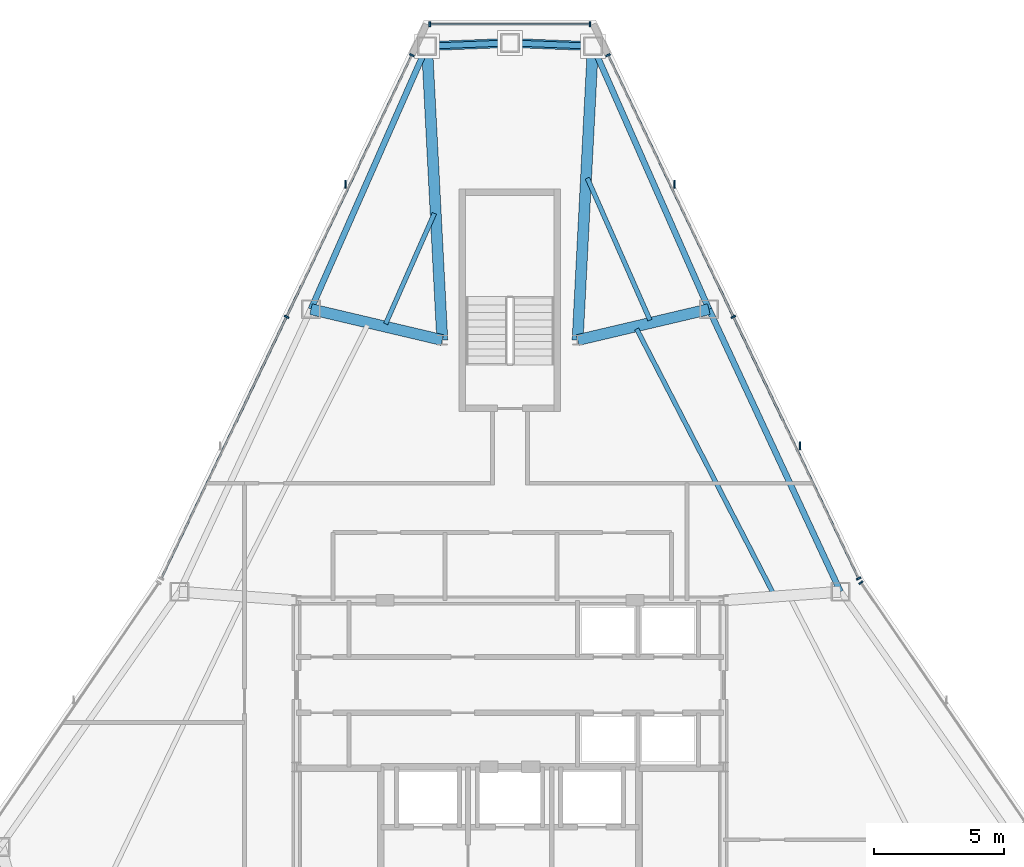
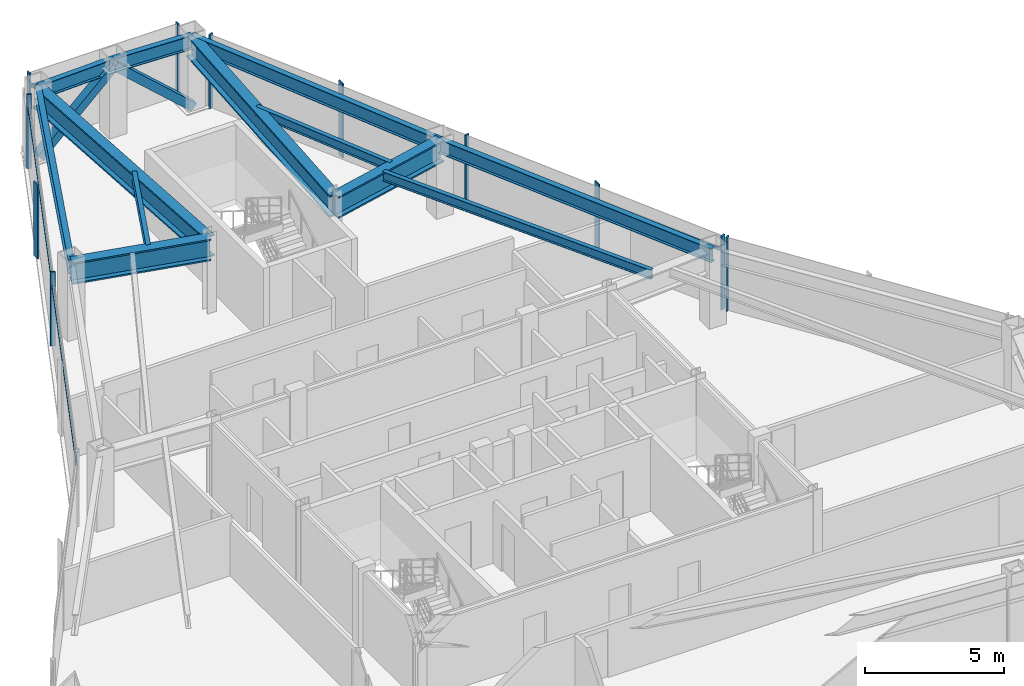
# One storey, part 7 of 12: 16 members, 12 beams, 4 elements without a shape of their own.
"""IFC4 building model written with IfcOpenShell, lengths in metres."""

from ifc_helpers import new_model, si_unit, direction, frame, origin, origin_2d, place, context, subcontext, project, spatial, rectangle, hollow_rectangle, i_section, extrude, source, transform, mapped, material, layer, layer_set, material_profile, profile_set, type_object, type_shapes, element, aggregate, save


model = new_model("IFC4")

# Units and contexts
model_context = context("Model", 3, precision=1e-05, world=origin(), true_north=direction((0.0, 1.0)))
body_context = subcontext(model_context, "Body", "Model", "MODEL_VIEW")
ifc_project = project(units=[si_unit("LENGTHUNIT", "METRE"), si_unit("AREAUNIT", "SQUARE_METRE"), si_unit("VOLUMEUNIT", "CUBIC_METRE"), si_unit("PLANEANGLEUNIT", "RADIAN"), si_unit("MASSUNIT", "GRAM", prefix="KILO")], contexts=[model_context])

# Site, building, storey
site_placement = place(None, origin())
site = spatial("IfcSite", under=ifc_project, at=site_placement, CompositionType="ELEMENT")
building_placement = place(site_placement, origin())
building = spatial("IfcBuilding", under=site, at=building_placement, Name="Varakhsha Concourse Tower", CompositionType="ELEMENT")
storey_placement = place(building_placement, frame((0.0, 0.0, 218.89990234375)))
storey = spatial("IfcBuildingStorey", under=building, at=storey_placement, Name="L62", CompositionType="ELEMENT", Elevation=218.89990234375)

# Beams
ifc_material_1 = material(Name="Structural Steel ASTM A992 Grade 50", Category="steel")
ifc_material_profile_1 = material_profile(ifc_material_1, i_section(OverallWidth=0.177978515625, OverallDepth=0.406982421875, WebThickness=0.008056640625, FlangeThickness=0.012939453125, at=origin_2d()), Name="W16X40")
ifc_profile_set_1 = profile_set([ifc_material_profile_1], Name="Structural Steel ASTM A992 Grade 50")
beam_type_1 = type_object("IfcBeamType", Name="BM-JST-W16X40", PredefinedType="JOIST", material=ifc_profile_set_1)
beam_1_placement = place(storey_placement, frame((37.097412109375, 46.06787109375, 3.046630859375), z_axis=(-0.403583198259, -0.91494295018, 0.0), x_axis=(0.91494295018, -0.403583198259, 0.0)))
element("IfcBeam", 1, at=beam_1_placement, inside=storey, type_object=beam_type_1, Name="BM-TJST-L62-03", PredefinedType="JOIST", context=body_context, shape_type="SweptSolid", body=[
    extrude(i_section(OverallWidth=0.177978515625, OverallDepth=0.406982421875, WebThickness=0.008056640625, FlangeThickness=0.012939453125, at=origin_2d()), origin(), (0.0, 0.0, 1.0), 4.63916015625),
])
beam_2_placement = place(storey_placement, frame((50.12890625, 31.443603515625, 3.046630859375), z_axis=(-0.458935408201, 0.888469634315, 0.0), x_axis=(-0.888469634315, -0.458935408201, 0.0)))
element("IfcBeam", 2, at=beam_2_placement, inside=storey, type_object=beam_type_1, Name="BM-TJST-L62-17", PredefinedType="JOIST", context=body_context, shape_type="SweptSolid", body=[
    extrude(i_section(OverallWidth=0.177978515625, OverallDepth=0.406982421875, WebThickness=0.008056640625, FlangeThickness=0.012939453125, at=origin_2d()), origin(), (0.0, 0.0, 1.0), 11.459228515625),
])
beam_3_placement = place(storey_placement, frame((45.380126953125, 41.9658203125, 3.046630859375), z_axis=(-0.403599895575, 0.914935584777, 0.0), x_axis=(-0.914935584777, -0.403599895575, 0.0)))
element("IfcBeam", 3, at=beam_3_placement, inside=storey, type_object=beam_type_1, Name="BM-TJST-L62-18", PredefinedType="JOIST", context=body_context, shape_type="SweptSolid", body=[
    extrude(i_section(OverallWidth=0.177978515625, OverallDepth=0.406982421875, WebThickness=0.008056640625, FlangeThickness=0.012939453125, at=origin_2d()), origin(), (0.0, 0.0, 1.0), 5.96435546875),
])
ifc_material_profile_2 = material_profile(ifc_material_1, i_section(OverallWidth=0.423095703125, OverallDepth=0.947998046875, WebThickness=0.0380859375, FlangeThickness=0.06396484375, at=origin_2d()), Name="W36X302")
ifc_profile_set_2 = profile_set([ifc_material_profile_2], Name="Structural Steel ASTM A992 Grade 50")
beam_type_2 = type_object("IfcBeamType", Name="BM-OUTR-W36X302", PredefinedType="USERDEFINED", material=ifc_profile_set_2)
for number, where, z_axis, x_axis, name in (
    (4, (42.60009765625, 41.199951171875, 2.776123046875), (0.051884532056, 0.998653090584, 0.0), (-0.998653090584, 0.051884532056, 0.0), "L62 Radial Floor Girder 01"),
    (5, (37.39990234375, 41.199951171875, 2.776123046875), (-0.051884532056, 0.998653090584, 0.0), (-0.998653090584, -0.051884532056, 0.0), "L62 Radial Floor Girder 03"),
):
    element("IfcBeam", number, at=place(storey_placement, frame(where, z_axis=z_axis, x_axis=x_axis)), inside=storey, type_object=beam_type_2, Name=name, ObjectType="GIRDER", PredefinedType="USERDEFINED", context=body_context, shape_type="SweptSolid", body=[
        extrude(i_section(OverallWidth=0.423095703125, OverallDepth=0.947998046875, WebThickness=0.0380859375, FlangeThickness=0.06396484375, at=origin_2d()), origin(), (0.0, 0.0, 1.0), 11.30712890625),
    ])
for number, where, z_axis, x_axis, name in (
    (6, (37.39990234375, 41.199951171875, 2.776123046875), (-0.973374515128, 0.229220534203, 0.0), (-0.229220534203, -0.973374515128, 0.0), "L62 Radial Floor Girder 04"),
    (7, (42.60009765625, 41.199951171875, 2.776123046875), (0.973374515128, 0.229220534203, 0.0), (-0.229220534203, 0.973374515128, 0.0), "L62 Radial Floor Girder 18"),
):
    element("IfcBeam", number, at=place(storey_placement, frame(where, z_axis=z_axis, x_axis=x_axis)), inside=storey, type_object=beam_type_2, Name=name, ObjectType="GIRDER", PredefinedType="USERDEFINED", context=body_context, shape_type="SweptSolid", body=[
        extrude(i_section(OverallWidth=0.423095703125, OverallDepth=0.947998046875, WebThickness=0.0380859375, FlangeThickness=0.06396484375, at=origin_2d()), origin(), (0.0, 0.0, 1.0), 5.181640625),
    ])
ifc_material_profile_3 = material_profile(ifc_material_1, i_section(OverallWidth=0.22900390625, OverallDepth=0.612060546875, WebThickness=0.011962890625, FlangeThickness=0.02001953125, at=origin_2d()), Name="W24X84")
ifc_profile_set_3 = profile_set([ifc_material_profile_3], Name="Structural Steel ASTM A992 Grade 50")
beam_type_3 = type_object("IfcBeamType", Name="BM-SPAN-W24X84", PredefinedType="SPANDREL", material=ifc_profile_set_3)
for number, where, z_axis, x_axis, name in (
    (8, (43.186767578125, 52.491943359375, 2.944091796875), (-0.999225590173, 0.039347426136, 0.0), (-0.039347426136, -0.999225590173, 0.0), "BM-SPAN-L62-01"),
    (9, (40.0, 52.617431640625, 2.944091796875), (-0.999225590173, -0.039347426136, 0.0), (0.039347426136, -0.999225590173, 0.0), "BM-SPAN-L62-02"),
):
    element("IfcBeam", number, at=place(storey_placement, frame(where, z_axis=z_axis, x_axis=x_axis)), inside=storey, type_object=beam_type_3, Name=name, PredefinedType="SPANDREL", context=body_context, shape_type="SweptSolid", body=[
        extrude(i_section(OverallWidth=0.22900390625, OverallDepth=0.612060546875, WebThickness=0.011962890625, FlangeThickness=0.02001953125, at=origin_2d()), origin(), (0.0, 0.0, 1.0), 3.189208984375),
    ])
beam_4_placement = place(storey_placement, frame((36.813232421875, 52.491943359375, 2.944091796875), z_axis=(-0.403585234517, -0.914942051979, 0.0), x_axis=(0.914942051979, -0.403585234517, 0.0)))
element("IfcBeam", 10, at=beam_4_placement, inside=storey, type_object=beam_type_3, Name="BM-SPAN-L62-03", PredefinedType="SPANDREL", context=body_context, shape_type="SweptSolid", body=[
    extrude(i_section(OverallWidth=0.22900390625, OverallDepth=0.612060546875, WebThickness=0.011962890625, FlangeThickness=0.02001953125, at=origin_2d()), origin(), (0.0, 0.0, 1.0), 11.043701171875),
])
beam_5_placement = place(storey_placement, frame((52.698974609375, 31.53173828125, 2.944091796875), z_axis=(-0.422135313271, 0.90653283299, 0.0), x_axis=(-0.90653283299, -0.422135313271, 0.0)))
element("IfcBeam", 11, at=beam_5_placement, inside=storey, type_object=beam_type_3, Name="BM-SPAN-L62-17", PredefinedType="SPANDREL", context=body_context, shape_type="SweptSolid", body=[
    extrude(i_section(OverallWidth=0.22900390625, OverallDepth=0.612060546875, WebThickness=0.011962890625, FlangeThickness=0.02001953125, at=origin_2d()), origin(), (0.0, 0.0, 1.0), 11.975341796875),
])
beam_6_placement = place(storey_placement, frame((47.643798828125, 42.3876953125, 2.944091796875), z_axis=(-0.403585234517, 0.914942051979, 0.0), x_axis=(-0.914942051979, -0.403585234517, 0.0)))
element("IfcBeam", 12, at=beam_6_placement, inside=storey, type_object=beam_type_3, Name="BM-SPAN-L62-18", PredefinedType="SPANDREL", context=body_context, shape_type="SweptSolid", body=[
    extrude(i_section(OverallWidth=0.22900390625, OverallDepth=0.612060546875, WebThickness=0.011962890625, FlangeThickness=0.02001953125, at=origin_2d()), origin(), (0.0, 0.0, 1.0), 11.043701171875),
])

# Members
ifc_material_2 = material(Name="Structural Steel ASTM A500 Grade C", Category="steel")
ifc_material_profile_4 = material_profile(ifc_material_2, hollow_rectangle(XDim=0.35009765625, YDim=0.35009765625, WallThickness=0.01611328125, at=origin_2d()), Name="HSS 350x350x16")
ifc_profile_set_4 = profile_set([ifc_material_profile_4], Name="Structural Steel ASTM A500 Grade C")
member_type_1 = type_object("IfcMemberType", Name="MB-TUBE-HSS350", PredefinedType="BRACE", material=ifc_profile_set_4)
shared_shape_1 = source(origin(), body_context, "Body", "SweptSolid", [
    extrude(hollow_rectangle(XDim=0.35009765625, YDim=0.35009765625, WallThickness=0.01611328125, at=origin_2d()), origin(), (0.0, 0.0, 1.0), 4.263916015625),
])
type_shapes(member_type_1, [shared_shape_1])
for number, where, z_axis, x_axis, name in (
    (13, (43.186767578125, 52.491943359375, 0.1201171875), (-0.747388752207, 0.02943061508, 0.663734805453), (-0.039347426136, -0.999225590173, 0.0), "L62 Wind-Corner Tube Brace B01"),
    (14, (36.813232421875, 52.491943359375, 0.1201171875), (0.747388752207, 0.02943061508, 0.663734805453), (-0.039347426136, 0.999225590173, 0.0), "L62 Wind-Corner Tube Brace B02"),
):
    element("IfcMember", number, at=place(storey_placement, frame(where, z_axis=z_axis, x_axis=x_axis)), inside=storey, type_object=member_type_1, Name=name, PredefinedType="BRACE", context=body_context, shape_type="MappedRepresentation", body=[
        mapped(shared_shape_1, transform((0.0, 0.0, 0.0), scale=1.0)),
    ])

# Curtain wall, members
ifc_material_3 = material(Name="Anodised Bronze Architectural Aluminium AA 6063-T6", Category="aluminium")
ifc_layer = layer(ifc_material_3, 0.199951171875, Name="CW-SYS-05")
ifc_layer_set = layer_set([ifc_layer], Name="Anodised Bronze Architectural Aluminium AA 6063-T6")
curtain_wall_type = type_object("IfcCurtainWallType", Name="CW-SYS-05", PredefinedType="NOTDEFINED", material=ifc_layer_set)
curtain_wall_1_placement = place(storey_placement, origin())
curtain_wall_1 = element("IfcCurtainWall", 15, at=curtain_wall_1_placement, inside=storey, type_object=curtain_wall_type, Name="L62 Chamfer Curtain Wall F1", PredefinedType="NOTDEFINED")
ifc_material_profile_5 = material_profile(ifc_material_3, rectangle(XDim=0.06494140625, YDim=0.179931640625, at=origin_2d()), Name="CWM-180X65")
ifc_profile_set_5 = profile_set([ifc_material_profile_5], Name="Anodised Bronze Architectural Aluminium AA 6063-T6")
member_type_2 = type_object("IfcMemberType", Name="CWM-180X65", PredefinedType="MULLION", material=ifc_profile_set_5)
shared_shape_2 = source(origin(), body_context, "Body", "SweptSolid", [
    extrude(rectangle(XDim=0.06494140625, YDim=0.179931640625, at=origin_2d()), origin(), (0.0, 0.0, 1.0), 3.25),
])
type_shapes(member_type_2, [shared_shape_2])
member_1_placement = place(storey_placement, frame((36.919921875, 53.33740234375, 0.0), z_axis=(0.0, 0.0, 1.0), x_axis=(1.0, 0.0, 0.0)))
member_1 = element("IfcMember", 16, at=member_1_placement, type_object=member_type_2, Name="CW-L62-F1 Mullion 00", PredefinedType="MULLION", context=body_context, shape_type="MappedRepresentation", body=[
    mapped(shared_shape_2, transform((0.0, 0.0, 0.0), scale=1.0)),
])
member_2_placement = place(storey_placement, frame((43.080078125, 53.33740234375, 0.0), z_axis=(0.0, 0.0, 1.0), x_axis=(1.0, 0.0, 0.0)))
member_2 = element("IfcMember", 17, at=member_2_placement, type_object=member_type_2, Name="CW-L62-F1 Mullion 01", PredefinedType="MULLION", context=body_context, shape_type="MappedRepresentation", body=[
    mapped(shared_shape_2, transform((0.0, 0.0, 0.0), scale=1.0)),
])

curtain_wall_2_placement = place(storey_placement, origin())
curtain_wall_2 = element("IfcCurtainWall", 18, at=curtain_wall_2_placement, inside=storey, type_object=curtain_wall_type, Name="L62 Crystal Curtain Wall F2", PredefinedType="NOTDEFINED")
member_3_placement = place(storey_placement, frame((31.41748046875, 42.09423828125, 0.0), z_axis=(0.0, 0.0, 1.0), x_axis=(0.431862228288, 0.901939585437, 0.0)))
member_3 = element("IfcMember", 19, at=member_3_placement, type_object=member_type_2, Name="CW-L62-F2 Mullion 01", PredefinedType="MULLION", context=body_context, shape_type="MappedRepresentation", body=[
    mapped(shared_shape_2, transform((0.0, 0.0, 0.0), scale=1.0)),
])
member_4_placement = place(storey_placement, frame((36.231201171875, 52.147705078125, 0.0), z_axis=(0.0, 0.0, 1.0), x_axis=(0.431862228288, 0.901939585437, 0.0)))
member_4 = element("IfcMember", 20, at=member_4_placement, type_object=member_type_2, Name="CW-L62-F2 Mullion 02", PredefinedType="MULLION", context=body_context, shape_type="MappedRepresentation", body=[
    mapped(shared_shape_2, transform((0.0, 0.0, 0.0), scale=1.0)),
])

# Curtain wall, member
curtain_wall_3_placement = place(storey_placement, origin())
curtain_wall_3 = element("IfcCurtainWall", 21, at=curtain_wall_3_placement, inside=storey, type_object=curtain_wall_type, Name="L62 Crystal Curtain Wall F8", PredefinedType="NOTDEFINED")
member_5_placement = place(storey_placement, frame((53.488525390625, 31.88134765625, 0.0), z_axis=(0.0, 0.0, 1.0), x_axis=(0.565172919372, -0.82497246694, 0.0)))
member_5 = element("IfcMember", 22, at=member_5_placement, type_object=member_type_2, Name="CW-L62-F8 Mullion 00", PredefinedType="MULLION", context=body_context, shape_type="MappedRepresentation", body=[
    mapped(shared_shape_2, transform((0.0, 0.0, 0.0), scale=1.0)),
])
aggregate(curtain_wall_3, [member_5])

# Curtain wall, members
curtain_wall_4_placement = place(storey_placement, origin())
curtain_wall_4 = element("IfcCurtainWall", 23, at=curtain_wall_4_placement, inside=storey, type_object=curtain_wall_type, Name="L62 Crystal Curtain Wall F9", PredefinedType="NOTDEFINED")
member_6_placement = place(storey_placement, frame((43.768798828125, 52.147705078125, 0.0), z_axis=(0.0, 0.0, 1.0), x_axis=(0.431862228288, -0.901939585437, 0.0)))
member_6 = element("IfcMember", 24, at=member_6_placement, type_object=member_type_2, Name="CW-L62-F9 Mullion 00", PredefinedType="MULLION", context=body_context, shape_type="MappedRepresentation", body=[
    mapped(shared_shape_2, transform((0.0, 0.0, 0.0), scale=1.0)),
])
member_7_placement = place(storey_placement, frame((48.582763671875, 42.09423828125, 0.0), z_axis=(0.0, 0.0, 1.0), x_axis=(0.431862228288, -0.901939585437, 0.0)))
member_7 = element("IfcMember", 25, at=member_7_placement, type_object=member_type_2, Name="CW-L62-F9 Mullion 01", PredefinedType="MULLION", context=body_context, shape_type="MappedRepresentation", body=[
    mapped(shared_shape_2, transform((0.0, 0.0, 0.0), scale=1.0)),
])
member_8_placement = place(storey_placement, frame((53.396484375, 32.040771484375, 0.0), z_axis=(0.0, 0.0, 1.0), x_axis=(0.431862228288, -0.901939585437, 0.0)))
member_8 = element("IfcMember", 26, at=member_8_placement, type_object=member_type_2, Name="CW-L62-F9 Mullion 02", PredefinedType="MULLION", context=body_context, shape_type="MappedRepresentation", body=[
    mapped(shared_shape_2, transform((0.0, 0.0, 0.0), scale=1.0)),
])

# Member
ifc_material_profile_6 = material_profile(ifc_material_3, rectangle(XDim=0.054931640625, YDim=0.300048828125, at=origin_2d()), Name="FIN-BRZ-300")
ifc_profile_set_6 = profile_set([ifc_material_profile_6], Name="Anodised Bronze Architectural Aluminium AA 6063-T6")
member_type_3 = type_object("IfcMemberType", Name="FIN-BRZ-300", PredefinedType="USERDEFINED", material=ifc_profile_set_6)
shared_shape_3 = source(origin(), body_context, "Body", "SweptSolid", [
    extrude(rectangle(XDim=0.054931640625, YDim=0.300048828125, at=origin_2d()), origin(), (0.0, 0.0, 1.0), 3.25),
])
type_shapes(member_type_3, [shared_shape_3])
member_9_placement = place(storey_placement, frame((33.67529296875, 47.192138671875, 0.0), z_axis=(0.0, 0.0, 1.0), x_axis=(1.0, 0.0, 0.0)))
member_9 = element("IfcMember", 27, at=member_9_placement, type_object=member_type_3, Name="L62 Anodised Bronze Solar Fin F2-2", ObjectType="SOLAR FIN", PredefinedType="USERDEFINED", context=body_context, shape_type="MappedRepresentation", body=[
    mapped(shared_shape_3, transform((0.0, 0.0, 0.0), scale=1.0)),
])

member_10_placement = place(storey_placement, frame((46.32470703125, 47.192138671875, 0.0), z_axis=(0.0, 0.0, 1.0), x_axis=(1.0, 0.0, 0.0)))
member_10 = element("IfcMember", 28, at=member_10_placement, type_object=member_type_3, Name="L62 Anodised Bronze Solar Fin F9-1", ObjectType="SOLAR FIN", PredefinedType="USERDEFINED", context=body_context, shape_type="MappedRepresentation", body=[
    mapped(shared_shape_3, transform((0.0, 0.0, 0.0), scale=1.0)),
])

member_11_placement = place(storey_placement, frame((51.13818359375, 37.138916015625, 0.0), z_axis=(0.0, 0.0, 1.0), x_axis=(1.0, 0.0, 0.0)))
member_11 = element("IfcMember", 29, at=member_11_placement, type_object=member_type_3, Name="L62 Anodised Bronze Solar Fin F9-2", ObjectType="SOLAR FIN", PredefinedType="USERDEFINED", context=body_context, shape_type="MappedRepresentation", body=[
    mapped(shared_shape_3, transform((0.0, 0.0, 0.0), scale=1.0)),
])

ifc_material_profile_7 = material_profile(ifc_material_3, rectangle(XDim=0.06005859375, YDim=0.139892578125, at=origin_2d()), Name="CWT-140X60")
ifc_profile_set_7 = profile_set([ifc_material_profile_7], Name="Anodised Bronze Architectural Aluminium AA 6063-T6")
member_type_4 = type_object("IfcMemberType", Name="CWT-140X60", PredefinedType="USERDEFINED", material=ifc_profile_set_7)
shared_shape_4 = source(origin(), body_context, "Body", "SweptSolid", [
    extrude(rectangle(XDim=0.06005859375, YDim=0.139892578125, at=origin_2d()), origin(), (0.0, 0.0, 1.0), 22.29296875),
])
member_12_placement = place(storey_placement, frame((26.603515625, 32.040771484375, 2.60009765625), z_axis=(0.431868926754, 0.90193637808, 0.0), x_axis=(-0.90193637808, 0.431868926754, 0.0)))
member_12 = element("IfcMember", 30, at=member_12_placement, type_object=member_type_4, Name="CW-L62-F2 Transom 01", ObjectType="TRANSOM", PredefinedType="USERDEFINED", context=body_context, shape_type="MappedRepresentation", body=[
    mapped(shared_shape_4, transform((0.0, 0.0, 0.0), scale=1.0)),
])

aggregate(curtain_wall_2, [member_3, member_4, member_12, member_9])

member_13_placement = place(storey_placement, frame((43.768798828125, 52.147705078125, 2.60009765625), z_axis=(0.431868926754, -0.90193637808, 0.0), x_axis=(0.90193637808, 0.431868926754, 0.0)))
member_13 = element("IfcMember", 31, at=member_13_placement, type_object=member_type_4, Name="CW-L62-F9 Transom 01", ObjectType="TRANSOM", PredefinedType="USERDEFINED", context=body_context, shape_type="MappedRepresentation", body=[
    mapped(shared_shape_4, transform((0.0, 0.0, 0.0), scale=1.0)),
])

aggregate(curtain_wall_4, [member_6, member_7, member_8, member_13, member_10, member_11])

shared_shape_5 = source(origin(), body_context, "Body", "SweptSolid", [
    extrude(rectangle(XDim=0.06005859375, YDim=0.139892578125, at=origin_2d()), origin(), (0.0, 0.0, 1.0), 6.16015625),
])
type_shapes(member_type_4, [shared_shape_4, shared_shape_5])
member_14_placement = place(storey_placement, frame((36.919921875, 53.33740234375, 2.60009765625), z_axis=(1.0, 0.0, 0.0), x_axis=(0.0, 1.0, 0.0)))
member_14 = element("IfcMember", 32, at=member_14_placement, type_object=member_type_4, Name="CW-L62-F1 Transom 01", ObjectType="TRANSOM", PredefinedType="USERDEFINED", context=body_context, shape_type="MappedRepresentation", body=[
    mapped(shared_shape_5, transform((0.0, 0.0, 0.0), scale=1.0)),
])

aggregate(curtain_wall_1, [member_1, member_2, member_14])

save(model, "model.ifc")
